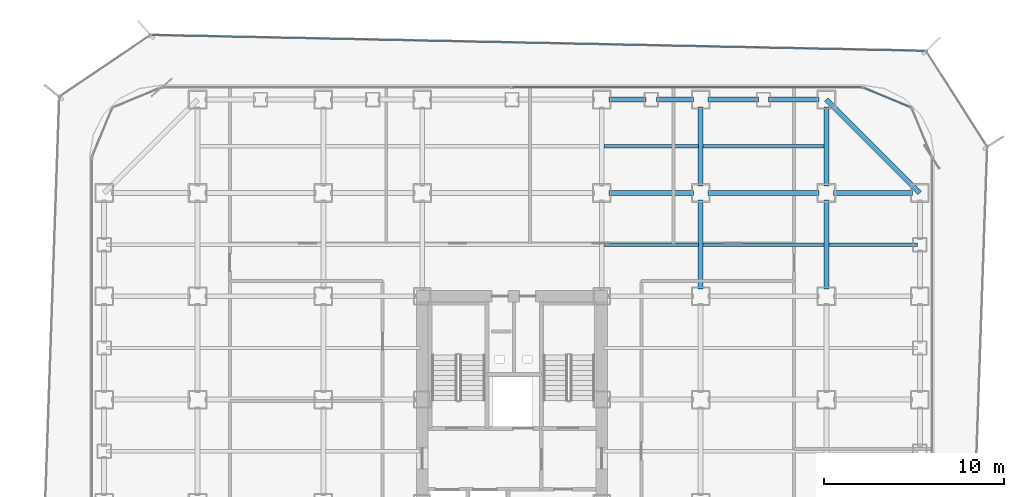
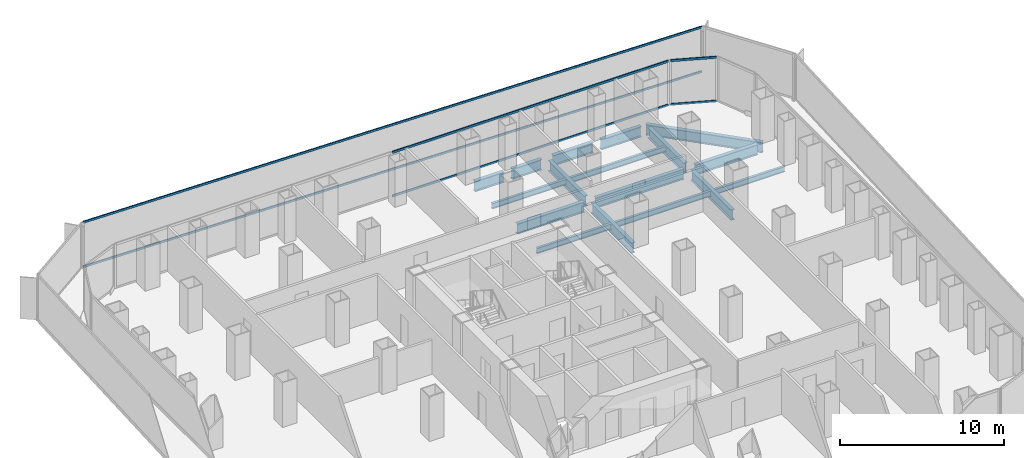
# One storey, part 14 of 22: 17 beams, 6 members, 3 elements without a shape of their own.
"""IFC4 building model written with IfcOpenShell, lengths in metres."""

import ifcopenshell
import ifcopenshell.guid

model = None  # the IFC model being written
_history = None  # IfcOwnerHistory: only IFC2X3 demands one
_inside = {}  # id of a spatial element -> (the spatial element, [elements in it])
_under = {}  # id of a project, library or spatial element -> (it, [spatial elements below it])
_declared = {}  # id of a project -> (the project, [libraries it declares])
_typed = {}  # id of a type object -> (the type object, [elements of that type])
_made_of = {}  # id of a material, layer set ... -> (it, [elements and type objects made of it])


def new_model(schema):
    """Start an empty IFC model of exactly this schema.

    Asked for "IFC4X3", IfcOpenShell would pick the latest addendum, in which some entities
    have other attributes; the version numbers below select the first issue.
    IFC2X3 requires an IfcOwnerHistory on every rooted entity: one is made here for all.
    """
    global model, _history
    if schema == "IFC4X3":
        model = ifcopenshell.file(schema_version=(4, 3, 0, 0))
    else:
        model = ifcopenshell.file(schema=schema)
    _inside.clear()
    _under.clear()
    _declared.clear()
    _typed.clear()
    _made_of.clear()
    _history = None
    if model.schema == "IFC2X3":
        org = make("IfcOrganization", Name="unknown")
        user = make(
            "IfcPersonAndOrganization",
            ThePerson=make("IfcPerson", FamilyName="unknown"),
            TheOrganization=org,
        )
        app = make(
            "IfcApplication",
            ApplicationDeveloper=org,
            Version="unknown",
            ApplicationFullName="unknown",
            ApplicationIdentifier="unknown",
        )
        _history = make(
            "IfcOwnerHistory",
            OwningUser=user,
            OwningApplication=app,
            ChangeAction="ADDED",
            CreationDate=0,
        )
    return model


def make(cls, **values):
    """One entity of the class cls with the attributes given. An attribute that is None is left unset."""
    return model.create_entity(
        cls, **{name: value for name, value in values.items() if value is not None}
    )


def rooted(cls, **values):
    """An entity with a GlobalId (a new one), such as an element, a storey or a relation."""
    return make(cls, GlobalId=ifcopenshell.guid.new(), OwnerHistory=_history, **values)


def si_unit(unit_type, name, prefix=None):
    """IfcSIUnit, for example si_unit("LENGTHUNIT", "METRE", prefix="MILLI")."""
    return make("IfcSIUnit", UnitType=unit_type, Prefix=prefix, Name=name)


def assignment(units):
    """IfcUnitAssignment: the units of a project."""
    return None if units is None else make("IfcUnitAssignment", Units=units)


def point(xyz):
    """IfcCartesianPoint."""
    return None if xyz is None else make("IfcCartesianPoint", Coordinates=xyz)


def direction(xyz):
    """IfcDirection."""
    return None if xyz is None else make("IfcDirection", DirectionRatios=xyz)


def frame(location, z_axis=None, x_axis=None):
    """IfcAxis2Placement3D, a coordinate frame: its origin and axes. An axis left out is left unset."""
    return make(
        "IfcAxis2Placement3D",
        Location=point(location),
        Axis=direction(z_axis),
        RefDirection=direction(x_axis),
    )


def frame_2d(location, x_axis=None):
    """IfcAxis2Placement2D, a coordinate frame in the plane: its origin and x axis."""
    return make(
        "IfcAxis2Placement2D", Location=point(location), RefDirection=direction(x_axis)
    )


def origin():
    """The frame at (0, 0, 0) with its axes left unset."""
    return frame((0.0, 0.0, 0.0))


def origin_2d():
    """The frame at (0, 0) in the plane with its x axis left unset."""
    return frame_2d((0.0, 0.0))


def place(relative_to, where):
    """IfcLocalPlacement: puts the frame where relative to a parent placement (None: the world)."""
    return make(
        "IfcLocalPlacement", PlacementRelTo=relative_to, RelativePlacement=where
    )


def context(
    kind, dimensions, precision=None, world=None, true_north=None, identifier=None
):
    """IfcGeometricRepresentationContext, for example the 3D "Model" context."""
    return make(
        "IfcGeometricRepresentationContext",
        ContextIdentifier=identifier,
        ContextType=kind,
        CoordinateSpaceDimension=dimensions,
        Precision=precision,
        WorldCoordinateSystem=world,
        TrueNorth=true_north,
    )


def subcontext(parent, identifier, kind, view, scale=None):
    """IfcGeometricRepresentationSubContext, for example "Body" below "Model"."""
    return make(
        "IfcGeometricRepresentationSubContext",
        ContextIdentifier=identifier,
        ContextType=kind,
        ParentContext=parent,
        TargetScale=scale,
        TargetView=view,
    )


def project(units=None, contexts=None):
    """IfcProject with its units and contexts."""
    return rooted(
        "IfcProject",
        Name="project",
        RepresentationContexts=contexts,
        UnitsInContext=assignment(units),
    )


def spatial(cls, under=None, at=None, **own):
    """A site, building, storey or space (cls), placed at a placement, below another one or the project."""
    s = rooted(cls, ObjectPlacement=at, **own)
    if under is not None:
        _under.setdefault(under.id(), (under, []))[1].append(s)
    return s


def profile(cls, at=None, kind="AREA", **sizes):
    """A parametric profile (cls). Its sizes go by their IFC names, for example OverallWidth=200.0."""
    return make(cls, ProfileType=kind, Position=at, **sizes)


def hollow_rectangle(**sizes):
    """IfcRectangleHollowProfileDef."""
    return profile("IfcRectangleHollowProfileDef", **sizes)


def i_section(**sizes):
    """IfcIShapeProfileDef."""
    return profile("IfcIShapeProfileDef", **sizes)


def extrude(swept, where, along, depth):
    """IfcExtrudedAreaSolid: the profile swept, set in the frame where, extruded along a direction by depth."""
    return make(
        "IfcExtrudedAreaSolid",
        SweptArea=swept,
        Position=where,
        ExtrudedDirection=direction(along),
        Depth=depth,
    )


def shape(context_of_items, identifier, shape_type, items):
    """IfcShapeRepresentation: the items that make up one representation, for example the "Body"."""
    return make(
        "IfcShapeRepresentation",
        ContextOfItems=context_of_items,
        RepresentationIdentifier=identifier,
        RepresentationType=shape_type,
        Items=items,
    )


def source(mapping_origin, context_of_items, identifier, shape_type, items):
    """IfcRepresentationMap: a shape defined once, which mapped items show again and again."""
    return make(
        "IfcRepresentationMap",
        MappingOrigin=mapping_origin,
        MappedRepresentation=shape(context_of_items, identifier, shape_type, items),
    )


def transform(
    local_origin,
    x_axis=None,
    y_axis=None,
    z_axis=None,
    scale=None,
    scale2=None,
    scale3=None,
    uniform=True,
):
    """IfcCartesianTransformationOperator3D, or its non-uniform kind. x_axis, y_axis, z_axis: its Axis1, 2, 3."""
    if uniform:
        return make(
            "IfcCartesianTransformationOperator3D",
            Axis1=direction(x_axis),
            Axis2=direction(y_axis),
            LocalOrigin=point(local_origin),
            Scale=scale,
            Axis3=direction(z_axis),
        )
    return make(
        "IfcCartesianTransformationOperator3DnonUniform",
        Axis1=direction(x_axis),
        Axis2=direction(y_axis),
        LocalOrigin=point(local_origin),
        Scale=scale,
        Axis3=direction(z_axis),
        Scale2=scale2,
        Scale3=scale3,
    )


def mapped(mapping_source, mapping_target):
    """IfcMappedItem: shows the shape of a source again, moved by a transform."""
    return make(
        "IfcMappedItem", MappingSource=mapping_source, MappingTarget=mapping_target
    )


def material(Name=None, Category=None):
    """IfcMaterial."""
    return make("IfcMaterial", Name=Name, Category=Category)


def layer(
    of_material, thickness, ventilated=None, Name=None, Category=None, Priority=None
):
    """IfcMaterialLayer: one layer of a wall or slab, of a material (None: an air gap)."""
    return make(
        "IfcMaterialLayer",
        Material=of_material,
        LayerThickness=thickness,
        IsVentilated=ventilated,
        Name=Name,
        Category=Category,
        Priority=Priority,
    )


def layer_set(layers, Name=None):
    """IfcMaterialLayerSet."""
    return make("IfcMaterialLayerSet", MaterialLayers=layers, LayerSetName=Name)


def material_profile(
    of_material, cross_section, Name=None, Category=None, Priority=None
):
    """IfcMaterialProfile: a cross section and its material."""
    return make(
        "IfcMaterialProfile",
        Name=Name,
        Material=of_material,
        Profile=cross_section,
        Priority=Priority,
        Category=Category,
    )


def profile_set(profiles, Name=None, composite=None):
    """IfcMaterialProfileSet."""
    return make(
        "IfcMaterialProfileSet",
        Name=Name,
        MaterialProfiles=profiles,
        CompositeProfile=composite,
    )


def made_of(thing, what):
    """Note that an element or type object is made of a material, layer set ...; save() writes the relation."""
    if what is not None:
        _made_of.setdefault(what.id(), (what, []))[1].append(thing)
    return thing


def type_object(cls, material=None, **own):
    """A type object (cls), such as IfcWallType, which elements share."""
    return made_of(rooted(cls, **own), material)


def element(
    cls,
    number,
    at=None,
    inside=None,
    cuts=None,
    type_object=None,
    material=None,
    context=None,
    identifier="Body",
    shape_type=None,
    held_by="IfcProductDefinitionShape",
    body=None,
    shapes=None,
    **own,
):
    """One element of the class cls, such as IfcWall. Its Tag is "e" and its number.

    at: its placement. inside: the storey or other place that contains it. cuts: it is an
    opening in that element (IfcRelVoidsElement). A single representation is given by context,
    identifier, shape_type and body (its items); several are given by shapes. held_by: the class
    of the entity that holds the representations. save() writes the other relations.
    """
    e = rooted(cls, Tag="e%d" % number, ObjectPlacement=at, **own)
    if body is not None:
        shapes = [shape(context, identifier, shape_type, body)]
    if shapes is not None:
        e.Representation = make(held_by, Representations=shapes)
    if inside is not None:
        _inside.setdefault(inside.id(), (inside, []))[1].append(e)
    if cuts is not None:
        rooted(
            "IfcRelVoidsElement", RelatingBuildingElement=cuts, RelatedOpeningElement=e
        )
    if type_object is not None:
        _typed.setdefault(type_object.id(), (type_object, []))[1].append(e)
    return made_of(e, material)


def aggregate(whole, parts):
    """IfcRelAggregates: a whole, such as a stair, and the parts it consists of."""
    return rooted("IfcRelAggregates", RelatingObject=whole, RelatedObjects=parts)


def save(model, path):
    """Write the relations noted so far, then the file.

    IfcRelAggregates (storeys below a building ...), IfcRelContainedInSpatialStructure (elements
    in a storey), IfcRelDefinesByType, IfcRelAssociatesMaterial and IfcRelDeclares: one each for
    every whole, place, type object, material and project.
    """
    for whole, parts in _under.values():
        aggregate(whole, parts)
    for where, things in _inside.values():
        rooted(
            "IfcRelContainedInSpatialStructure",
            RelatedElements=things,
            RelatingStructure=where,
        )
    for kind, things in _typed.values():
        rooted("IfcRelDefinesByType", RelatedObjects=things, RelatingType=kind)
    for what, things in _made_of.values():
        rooted("IfcRelAssociatesMaterial", RelatedObjects=things, RelatingMaterial=what)
    for by, libraries in _declared.values():
        rooted("IfcRelDeclares", RelatingContext=by, RelatedDefinitions=libraries)
    model.write(path)


model = new_model("IFC4")

# Units and contexts
model_context = context("Model", 3, precision=1e-05, world=origin(), true_north=direction((0.0, 1.0)))
body_context = subcontext(model_context, "Body", "Model", "MODEL_VIEW")
ifc_project = project(units=[si_unit("LENGTHUNIT", "METRE"), si_unit("AREAUNIT", "SQUARE_METRE"), si_unit("VOLUMEUNIT", "CUBIC_METRE"), si_unit("PLANEANGLEUNIT", "RADIAN"), si_unit("MASSUNIT", "GRAM", prefix="KILO")], contexts=[model_context])

# Site, building, storey
site_placement = place(None, origin())
site = spatial("IfcSite", under=ifc_project, at=site_placement, CompositionType="ELEMENT")
building_placement = place(site_placement, origin())
building = spatial("IfcBuilding", under=site, at=building_placement, Name="Kolveth Station Tower", CompositionType="ELEMENT")
storey_placement = place(building_placement, frame((0.0, 0.0, 65.699951171875)))
storey = spatial("IfcBuildingStorey", under=building, at=storey_placement, Name="L17", CompositionType="ELEMENT", Elevation=65.699951171875)

# Beams
ifc_material_1 = material(Name="Steel S355", Category="steel")
ifc_material_profile_1 = material_profile(ifc_material_1, i_section(OverallWidth=0.26904296875, OverallDepth=0.77490234375, WebThickness=0.01708984375, FlangeThickness=0.0283203125, at=origin_2d()), Name="W760x220")
ifc_profile_set_1 = profile_set([ifc_material_profile_1], Name="Steel S355")
beam_type_1 = type_object("IfcBeamType", Name="Beam_SP1", PredefinedType="SPANDREL", material=ifc_profile_set_1)
shared_shape_1 = source(origin(), body_context, "Body", "SweptSolid", [
    extrude(i_section(OverallWidth=0.26904296875, OverallDepth=0.77490234375, WebThickness=0.01708984375, FlangeThickness=0.0283203125, at=origin_2d()), origin(), (0.0, 0.0, 1.0), 7.353759765625),
])
beam_1_placement = place(storey_placement, frame((46.199951171875, 34.5, -0.66748046875), z_axis=(-0.707106781187, 0.707106781187, 0.0), x_axis=(-0.707106781187, -0.707106781187, 0.0)))
element("IfcBeam", 1, at=beam_1_placement, inside=storey, type_object=beam_type_1, Name="L17 Corner Edge Girder BM-L17-CNR-NE", PredefinedType="SPANDREL", context=body_context, shape_type="MappedRepresentation", body=[
    mapped(shared_shape_1, transform((0.0, 0.0, 0.0), x_axis=(1.0, 0.0, 0.0), y_axis=(0.0, 1.0, 0.0), z_axis=(0.0, 0.0, 1.0), scale=1.0)),
])
shared_shape_2 = source(origin(), body_context, "Body", "SweptSolid", [
    extrude(i_section(OverallWidth=0.26904296875, OverallDepth=0.77490234375, WebThickness=0.01708984375, FlangeThickness=0.0283203125, at=origin_2d()), origin(), (0.0, 0.0, 1.0), 2.820068359375),
])
for number, where, z_axis, x_axis, name in (
    (2, (34.39990234375, 39.699951171875, -0.66748046875), (1.0, 0.0, 0.0), (0.0, 1.0, 0.0), "L17 Perimeter Spandrel BM-L17-PN-9"),
    (3, (37.780029296875, 39.699951171875, -0.66748046875), (1.0, 0.0, 0.0), (0.0, 1.0, 0.0), "L17 Perimeter Spandrel BM-L17-PN-10"),
):
    element("IfcBeam", number, at=place(storey_placement, frame(where, z_axis=z_axis, x_axis=x_axis)), inside=storey, type_object=beam_type_1, Name=name, PredefinedType="SPANDREL", context=body_context, shape_type="MappedRepresentation", body=[
        mapped(shared_shape_2, transform((0.0, 0.0, 0.0), x_axis=(1.0, 0.0, 0.0), y_axis=(0.0, 1.0, 0.0), z_axis=(0.0, 0.0, 1.0), scale=1.0)),
    ])
shared_shape_3 = source(origin(), body_context, "Body", "SweptSolid", [
    extrude(i_section(OverallWidth=0.26904296875, OverallDepth=0.77490234375, WebThickness=0.01708984375, FlangeThickness=0.0283203125, at=origin_2d()), origin(), (0.0, 0.0, 1.0), 2.070068359375),
])
for number, where, z_axis, x_axis, name in (
    (4, (28.89990234375, 39.699951171875, -0.66748046875), (1.0, 0.0, 0.0), (0.0, 1.0, 0.0), "L17 Perimeter Spandrel BM-L17-PN-7"),
    (5, (31.530029296875, 39.699951171875, -0.66748046875), (1.0, 0.0, 0.0), (0.0, 1.0, 0.0), "L17 Perimeter Spandrel BM-L17-PN-8"),
):
    element("IfcBeam", number, at=place(storey_placement, frame(where, z_axis=z_axis, x_axis=x_axis)), inside=storey, type_object=beam_type_1, Name=name, PredefinedType="SPANDREL", context=body_context, shape_type="MappedRepresentation", body=[
        mapped(shared_shape_3, transform((0.0, 0.0, 0.0), x_axis=(1.0, 0.0, 0.0), y_axis=(0.0, 1.0, 0.0), z_axis=(0.0, 0.0, 1.0), scale=1.0)),
    ])
ifc_material_profile_2 = material_profile(ifc_material_1, i_section(OverallWidth=0.26708984375, OverallDepth=0.76611328125, WebThickness=0.014892578125, FlangeThickness=0.023681640625, at=origin_2d()), Name="W760x185")
ifc_profile_set_2 = profile_set([ifc_material_profile_2], Name="Steel S355")
beam_type_2 = type_object("IfcBeamType", Name="Beam_B3", PredefinedType="BEAM", material=ifc_profile_set_2)
shared_shape_4 = source(origin(), body_context, "Body", "SweptSolid", [
    extrude(i_section(OverallWidth=0.26708984375, OverallDepth=0.76611328125, WebThickness=0.014892578125, FlangeThickness=0.023681640625, at=origin_2d()), origin(), (0.0, 0.0, 1.0), 4.400146484375),
])
for number, where, z_axis, x_axis, name in (
    (6, (41.39990234375, 34.5, -0.662841796875), (1.0, 0.0, 0.0), (0.0, 1.0, 0.0), "L17 Primary Girder BM-L17-GY345-7"),
    (7, (34.0, 34.89990234375, -0.662841796875), (0.0, 1.0, 0.0), (-1.0, 0.0, 0.0), "L17 Primary Girder BM-L17-GX340-7"),
    (8, (41.0, 34.89990234375, -0.662841796875), (0.0, 1.0, 0.0), (-1.0, 0.0, 0.0), "L17 Primary Girder BM-L17-GX410-7"),
):
    element("IfcBeam", number, at=place(storey_placement, frame(where, z_axis=z_axis, x_axis=x_axis)), inside=storey, type_object=beam_type_2, Name=name, PredefinedType="BEAM", context=body_context, shape_type="MappedRepresentation", body=[
        mapped(shared_shape_4, transform((0.0, 0.0, 0.0), x_axis=(1.0, 0.0, 0.0), y_axis=(0.0, 1.0, 0.0), z_axis=(0.0, 0.0, 1.0), scale=1.0)),
    ])
shared_shape_5 = source(origin(), body_context, "Body", "SweptSolid", [
    extrude(i_section(OverallWidth=0.26708984375, OverallDepth=0.76611328125, WebThickness=0.014892578125, FlangeThickness=0.023681640625, at=origin_2d()), origin(), (0.0, 0.0, 1.0), 6.2001953125),
])
beam_2_placement = place(storey_placement, frame((34.39990234375, 34.5, -0.662841796875), z_axis=(1.0, 0.0, 0.0), x_axis=(0.0, 1.0, 0.0)))
element("IfcBeam", 9, at=beam_2_placement, inside=storey, type_object=beam_type_2, Name="L17 Primary Girder BM-L17-GY345-6", PredefinedType="BEAM", context=body_context, shape_type="MappedRepresentation", body=[
    mapped(shared_shape_5, transform((0.0, 0.0, 0.0), x_axis=(1.0, 0.0, 0.0), y_axis=(0.0, 1.0, 0.0), z_axis=(0.0, 0.0, 1.0), scale=1.0)),
])
shared_shape_6 = source(origin(), body_context, "Body", "SweptSolid", [
    extrude(i_section(OverallWidth=0.26708984375, OverallDepth=0.76611328125, WebThickness=0.014892578125, FlangeThickness=0.023681640625, at=origin_2d()), origin(), (0.0, 0.0, 1.0), 4.7001953125),
])
beam_3_placement = place(storey_placement, frame((28.89990234375, 34.5, -0.662841796875), z_axis=(1.0, 0.0, 0.0), x_axis=(0.0, 1.0, 0.0)))
element("IfcBeam", 10, at=beam_3_placement, inside=storey, type_object=beam_type_2, Name="L17 Primary Girder BM-L17-GY345-5", PredefinedType="BEAM", context=body_context, shape_type="MappedRepresentation", body=[
    mapped(shared_shape_6, transform((0.0, 0.0, 0.0), x_axis=(1.0, 0.0, 0.0), y_axis=(0.0, 1.0, 0.0), z_axis=(0.0, 0.0, 1.0), scale=1.0)),
])
shared_shape_7 = source(origin(), body_context, "Body", "SweptSolid", [
    extrude(i_section(OverallWidth=0.26708984375, OverallDepth=0.76611328125, WebThickness=0.014892578125, FlangeThickness=0.023681640625, at=origin_2d()), origin(), (0.0, 0.0, 1.0), 4.9501953125),
])
for number, where, z_axis, x_axis, name in (
    (11, (34.0, 29.14990234375, -0.662841796875), (0.0, 1.0, 0.0), (-1.0, 0.0, 0.0), "L17 Primary Girder BM-L17-GX340-6"),
    (12, (41.0, 29.14990234375, -0.662841796875), (0.0, 1.0, 0.0), (-1.0, 0.0, 0.0), "L17 Primary Girder BM-L17-GX410-6"),
):
    element("IfcBeam", number, at=place(storey_placement, frame(where, z_axis=z_axis, x_axis=x_axis)), inside=storey, type_object=beam_type_2, Name=name, PredefinedType="BEAM", context=body_context, shape_type="MappedRepresentation", body=[
        mapped(shared_shape_7, transform((0.0, 0.0, 0.0), x_axis=(1.0, 0.0, 0.0), y_axis=(0.0, 1.0, 0.0), z_axis=(0.0, 0.0, 1.0), scale=1.0)),
    ])
ifc_material_profile_3 = material_profile(ifc_material_1, i_section(OverallWidth=0.177978515625, OverallDepth=0.406982421875, WebThickness=0.0078125, FlangeThickness=0.0126953125, at=origin_2d()), Name="W410x60")
ifc_profile_set_3 = profile_set([ifc_material_profile_3], Name="Steel S355")
beam_type_3 = type_object("IfcBeamType", Name="Beam_J1", PredefinedType="JOIST", material=ifc_profile_set_3)
shared_shape_8 = source(origin(), body_context, "Body", "SweptSolid", [
    extrude(i_section(OverallWidth=0.177978515625, OverallDepth=0.406982421875, WebThickness=0.0078125, FlangeThickness=0.0126953125, at=origin_2d()), origin(), (0.0, 0.0, 1.0), 4.935791015625),
])
beam_4_placement = place(storey_placement, frame((41.131591796875, 31.625, -0.4833984375), z_axis=(1.0, 0.0, 0.0), x_axis=(0.0, 1.0, 0.0)))
element("IfcBeam", 13, at=beam_4_placement, inside=storey, type_object=beam_type_3, Name="L17 Secondary Joist JST-L17-7-6", PredefinedType="JOIST", context=body_context, shape_type="MappedRepresentation", body=[
    mapped(shared_shape_8, transform((0.0, 0.0, 0.0), x_axis=(1.0, 0.0, 0.0), y_axis=(0.0, 1.0, 0.0), z_axis=(0.0, 0.0, 1.0), scale=1.0)),
])
shared_shape_9 = source(origin(), body_context, "Body", "SweptSolid", [
    extrude(i_section(OverallWidth=0.177978515625, OverallDepth=0.406982421875, WebThickness=0.0078125, FlangeThickness=0.0126953125, at=origin_2d()), origin(), (0.0, 0.0, 1.0), 6.73681640625),
])
for number, where, z_axis, x_axis, name in (
    (14, (34.131591796875, 31.625, -0.4833984375), (1.0, 0.0, 0.0), (0.0, 1.0, 0.0), "L17 Secondary Joist JST-L17-6-6"),
    (15, (34.131591796875, 37.10009765625, -0.4833984375), (1.0, 0.0, 0.0), (0.0, 1.0, 0.0), "L17 Secondary Joist JST-L17-6-7"),
):
    element("IfcBeam", number, at=place(storey_placement, frame(where, z_axis=z_axis, x_axis=x_axis)), inside=storey, type_object=beam_type_3, Name=name, PredefinedType="JOIST", context=body_context, shape_type="MappedRepresentation", body=[
        mapped(shared_shape_9, transform((0.0, 0.0, 0.0), x_axis=(1.0, 0.0, 0.0), y_axis=(0.0, 1.0, 0.0), z_axis=(0.0, 0.0, 1.0), scale=1.0)),
    ])
shared_shape_10 = source(origin(), body_context, "Body", "SweptSolid", [
    extrude(i_section(OverallWidth=0.177978515625, OverallDepth=0.406982421875, WebThickness=0.0078125, FlangeThickness=0.0126953125, at=origin_2d()), origin(), (0.0, 0.0, 1.0), 5.23681640625),
])
for number, where, z_axis, x_axis, name in (
    (16, (28.631591796875, 31.625, -0.4833984375), (1.0, 0.0, 0.0), (0.0, 1.0, 0.0), "L17 Secondary Joist JST-L17-5-6"),
    (17, (28.631591796875, 37.10009765625, -0.4833984375), (1.0, 0.0, 0.0), (0.0, 1.0, 0.0), "L17 Secondary Joist JST-L17-5-7"),
):
    element("IfcBeam", number, at=place(storey_placement, frame(where, z_axis=z_axis, x_axis=x_axis)), inside=storey, type_object=beam_type_3, Name=name, PredefinedType="JOIST", context=body_context, shape_type="MappedRepresentation", body=[
        mapped(shared_shape_10, transform((0.0, 0.0, 0.0), x_axis=(1.0, 0.0, 0.0), y_axis=(0.0, 1.0, 0.0), z_axis=(0.0, 0.0, 1.0), scale=1.0)),
    ])

# Curtain wall, members
ifc_material_2 = material(Name="Aluminium 6063-T6 and low-E dark glass", Category="aluminium")
ifc_layer_1 = layer(ifc_material_2, 0.179931640625)
ifc_layer_set_1 = layer_set([ifc_layer_1], Name="Aluminium 6063-T6 and low-E dark glass")
curtain_wall_type_1 = type_object("IfcCurtainWallType", Name="CurtainWall_CW-Z1", PredefinedType="NOTDEFINED", material=ifc_layer_set_1)
curtain_wall_1_placement = place(storey_placement, origin())
curtain_wall_1 = element("IfcCurtainWall", 18, at=curtain_wall_1_placement, inside=storey, type_object=curtain_wall_type_1, Name="L17 Inner Thermal Curtain Wall 5", PredefinedType="NOTDEFINED")
ifc_material_3 = material(Name="Black anodized aluminium 6063-T6", Category="aluminium")
ifc_material_profile_4 = material_profile(ifc_material_3, hollow_rectangle(XDim=0.074951171875, YDim=0.159912109375, WallThickness=0.0048828125, at=origin_2d()), Name="ALU-75x160x5")
ifc_profile_set_4 = profile_set([ifc_material_profile_4], Name="Black anodized aluminium 6063-T6")
member_type_1 = type_object("IfcMemberType", Name="Transom_TR1", PredefinedType="USERDEFINED", material=ifc_profile_set_4)
shared_shape_11 = source(origin(), body_context, "Body", "SweptSolid", [
    extrude(hollow_rectangle(XDim=0.074951171875, YDim=0.159912109375, WallThickness=0.0048828125, at=origin_2d()), origin(), (0.0, 0.0, 1.0), 2.819580078125),
])
member_1_placement = place(storey_placement, frame((45.67431640625, 39.272216796875, 0.03759765625), z_axis=(-0.923869084389, 0.382708655389, 0.0), x_axis=(-0.382708655389, -0.923869084389, 0.0)))
member_1 = element("IfcMember", 19, at=member_1_placement, type_object=member_type_1, Name="CW-Z1 transom 1.1", ObjectType="TRANSOM", PredefinedType="USERDEFINED", context=body_context, shape_type="MappedRepresentation", body=[
    mapped(shared_shape_11, transform((0.0, 0.0, 0.0), x_axis=(1.0, 0.0, 0.0), y_axis=(0.0, 1.0, 0.0), z_axis=(0.0, 0.0, 1.0), scale=1.0)),
])
member_2_placement = place(storey_placement, frame((45.67431640625, 39.272216796875, 3.282470703125), z_axis=(-0.923869084389, 0.382708655389, 0.0), x_axis=(-0.382708655389, -0.923869084389, 0.0)))
member_2 = element("IfcMember", 20, at=member_2_placement, type_object=member_type_1, Name="CW-Z1 transom 1.2", ObjectType="TRANSOM", PredefinedType="USERDEFINED", context=body_context, shape_type="MappedRepresentation", body=[
    mapped(shared_shape_11, transform((0.0, 0.0, 0.0), x_axis=(1.0, 0.0, 0.0), y_axis=(0.0, 1.0, 0.0), z_axis=(0.0, 0.0, 1.0), scale=1.0)),
])
aggregate(curtain_wall_1, [member_1, member_2])

curtain_wall_2_placement = place(storey_placement, origin())
curtain_wall_2 = element("IfcCurtainWall", 21, at=curtain_wall_2_placement, inside=storey, type_object=curtain_wall_type_1, Name="L17 Inner Thermal Curtain Wall 6", PredefinedType="NOTDEFINED")
shared_shape_12 = source(origin(), body_context, "Body", "SweptSolid", [
    extrude(hollow_rectangle(XDim=0.074951171875, YDim=0.159912109375, WallThickness=0.0048828125, at=origin_2d()), origin(), (0.0, 0.0, 1.0), 19.387451171875),
])
member_3_placement = place(storey_placement, frame((42.925048828125, 40.3798828125, 0.03759765625), z_axis=(-1.0, 0.0, 0.0), x_axis=(0.0, -1.0, 0.0)))
member_3 = element("IfcMember", 22, at=member_3_placement, type_object=member_type_1, Name="CW-Z1 transom 1.1", ObjectType="TRANSOM", PredefinedType="USERDEFINED", context=body_context, shape_type="MappedRepresentation", body=[
    mapped(shared_shape_12, transform((0.0, 0.0, 0.0), x_axis=(1.0, 0.0, 0.0), y_axis=(0.0, 1.0, 0.0), z_axis=(0.0, 0.0, 1.0), scale=1.0)),
])
member_4_placement = place(storey_placement, frame((42.925048828125, 40.3798828125, 3.282470703125), z_axis=(-1.0, 0.0, 0.0), x_axis=(0.0, -1.0, 0.0)))
member_4 = element("IfcMember", 23, at=member_4_placement, type_object=member_type_1, Name="CW-Z1 transom 1.2", ObjectType="TRANSOM", PredefinedType="USERDEFINED", context=body_context, shape_type="MappedRepresentation", body=[
    mapped(shared_shape_12, transform((0.0, 0.0, 0.0), x_axis=(1.0, 0.0, 0.0), y_axis=(0.0, 1.0, 0.0), z_axis=(0.0, 0.0, 1.0), scale=1.0)),
])
aggregate(curtain_wall_2, [member_3, member_4])

ifc_material_4 = material(Name="Black anodized aluminium 6063-T6 and dark solar glass", Category="aluminium")
ifc_layer_2 = layer(ifc_material_4, 0.159912109375)
ifc_layer_set_2 = layer_set([ifc_layer_2], Name="Black anodized aluminium 6063-T6 and dark solar glass")
curtain_wall_type_2 = type_object("IfcCurtainWallType", Name="OUTER SKIN CW-OS", PredefinedType="NOTDEFINED", material=ifc_layer_set_2)
curtain_wall_3_placement = place(storey_placement, origin())
curtain_wall_3 = element("IfcCurtainWall", 24, at=curtain_wall_3_placement, inside=storey, type_object=curtain_wall_type_2, Name="L17 Outer Ventilated Skin Curtain Wall 4", PredefinedType="NOTDEFINED")
ifc_material_profile_5 = material_profile(ifc_material_3, hollow_rectangle(XDim=0.080078125, YDim=0.14990234375, WallThickness=0.0048828125, at=origin_2d()), Name="ALU-80x150x5")
ifc_profile_set_5 = profile_set([ifc_material_profile_5], Name="Black anodized aluminium 6063-T6")
member_type_2 = type_object("IfcMemberType", Name="Transom_TR-OS", PredefinedType="USERDEFINED", material=ifc_profile_set_5)
shared_shape_13 = source(origin(), body_context, "Body", "SweptSolid", [
    extrude(hollow_rectangle(XDim=0.080078125, YDim=0.14990234375, WallThickness=0.0048828125, at=origin_2d()), origin(), (0.0, 0.0, 1.0), 43.002197265625),
])
member_5_placement = place(storey_placement, frame((46.46435546875, 42.407958984375, 0.0400390625), z_axis=(-0.99979041211, 0.020472709972, 0.0), x_axis=(-0.020472709972, -0.99979041211, 0.0)))
member_5 = element("IfcMember", 25, at=member_5_placement, type_object=member_type_2, Name="CW-OS transom 1.1", ObjectType="TRANSOM", PredefinedType="USERDEFINED", context=body_context, shape_type="MappedRepresentation", body=[
    mapped(shared_shape_13, transform((0.0, 0.0, 0.0), x_axis=(1.0, 0.0, 0.0), y_axis=(0.0, 1.0, 0.0), z_axis=(0.0, 0.0, 1.0), scale=1.0)),
])
member_6_placement = place(storey_placement, frame((46.46435546875, 42.407958984375, 3.35009765625), z_axis=(-0.99979041211, 0.020472709972, 0.0), x_axis=(-0.020472709972, -0.99979041211, 0.0)))
member_6 = element("IfcMember", 26, at=member_6_placement, type_object=member_type_2, Name="CW-OS transom 1.2", ObjectType="TRANSOM", PredefinedType="USERDEFINED", context=body_context, shape_type="MappedRepresentation", body=[
    mapped(shared_shape_13, transform((0.0, 0.0, 0.0), x_axis=(1.0, 0.0, 0.0), y_axis=(0.0, 1.0, 0.0), z_axis=(0.0, 0.0, 1.0), scale=1.0)),
])
aggregate(curtain_wall_3, [member_5, member_6])

save(model, "model.ifc")
